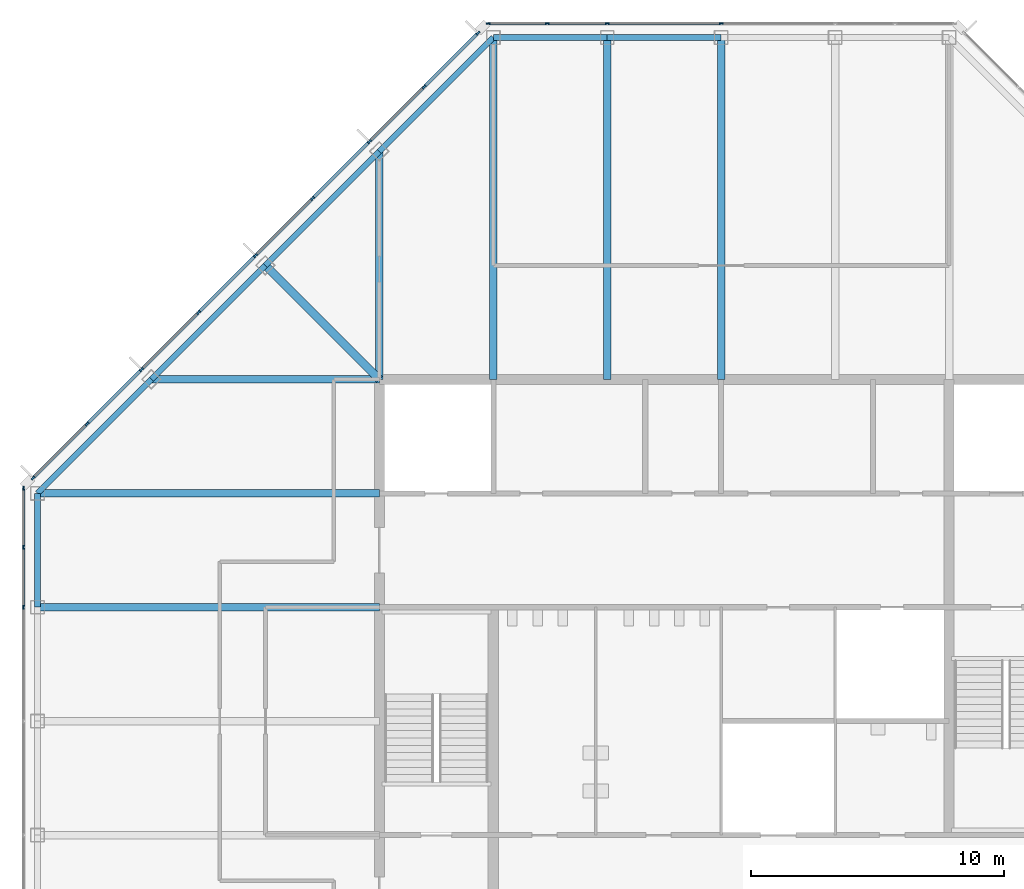
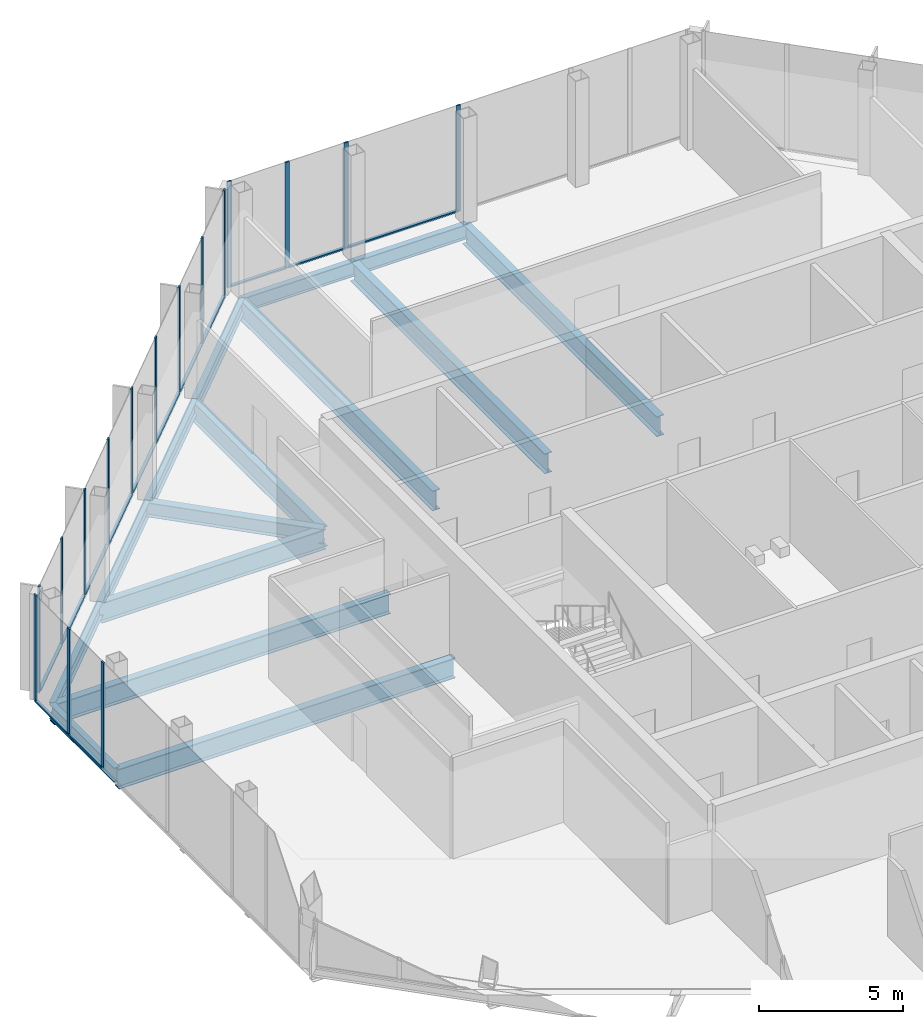
# One storey, part 6 of 13: 29 members, 15 beams, 3 elements without a shape of their own.
"""IFC4 building model written with IfcOpenShell, lengths in metres."""

from ifc_helpers import new_model, si_unit, direction, frame, origin, origin_2d, place, context, subcontext, project, spatial, rectangle, i_section, extrude, material, material_profile, profile_set, type_object, element, aggregate, save


model = new_model("IFC4")

# Units and contexts
model_context = context("Model", 3, precision=1e-05, world=origin(), true_north=direction((0.0, 1.0)))
body_context = subcontext(model_context, "Body", "Model", "MODEL_VIEW")
ifc_project = project(units=[si_unit("LENGTHUNIT", "METRE"), si_unit("AREAUNIT", "SQUARE_METRE"), si_unit("VOLUMEUNIT", "CUBIC_METRE"), si_unit("PLANEANGLEUNIT", "RADIAN"), si_unit("MASSUNIT", "GRAM", prefix="KILO")], contexts=[model_context])

# Site, building, storey
site_placement = place(None, origin())
site = spatial("IfcSite", under=ifc_project, at=site_placement, CompositionType="ELEMENT")
building_placement = place(site_placement, origin())
building = spatial("IfcBuilding", under=site, at=building_placement, Name="Corais Broadcast Tower", CompositionType="ELEMENT")
storey_placement = place(building_placement, frame((0.0, 0.0, 310.60009765625)))
storey = spatial("IfcBuildingStorey", under=building, at=storey_placement, Name="L73", CompositionType="ELEMENT", Elevation=310.60009765625)

# Beams
ifc_material_1 = material(Name="Steel ASTM A572 Grade 50", Category="steel")
ifc_material_profile_1 = material_profile(ifc_material_1, i_section(OverallWidth=0.323974609375, OverallDepth=0.611083984375, WebThickness=0.0126953125, FlangeThickness=0.01904296875, at=origin_2d()), Name="W610x155")
ifc_profile_set_1 = profile_set([ifc_material_profile_1], Name="Steel ASTM A572 Grade 50")
beam_type_1 = type_object("IfcBeamType", Name="Corner diagonal W610x155", PredefinedType="BEAM", material=ifc_profile_set_1)
beam_1_placement = place(storey_placement, frame((9.0, 45.0, -0.465576171875), z_axis=(0.707106781187, -0.707106781187, 0.0), x_axis=(0.707106781187, 0.707106781187, 0.0)))
element("IfcBeam", 1, at=beam_1_placement, inside=storey, type_object=beam_type_1, Name="B6 L/5 to K/6", PredefinedType="BEAM", context=body_context, shape_type="SweptSolid", body=[
    extrude(i_section(OverallWidth=0.323974609375, OverallDepth=0.611083984375, WebThickness=0.0126953125, FlangeThickness=0.01904296875, at=origin_2d()), origin(), (0.0, 0.0, 1.0), 6.364013671875),
])
ifc_material_2 = material(Name="Steel ASTM A572 Grade 50", Category="steel")
ifc_material_profile_2 = material_profile(ifc_material_2, i_section(OverallWidth=0.2939453125, OverallDepth=0.85107421875, WebThickness=0.01611328125, FlangeThickness=0.02685546875, at=origin_2d()), Name="W840x226")
ifc_profile_set_2 = profile_set([ifc_material_profile_2], Name="Steel ASTM A572 Grade 50")
beam_type_2 = type_object("IfcBeamType", Name="Floor beam W840x226", PredefinedType="BEAM", material=ifc_profile_set_2)
for number, where, z_axis, x_axis, name in (
    (2, (0.0, 31.5, -0.585693359375), (1.0, 0.0, 0.0), (0.0, 1.0, 0.0), "B1 H/3 to H/6"),
    (3, (0.0, 36.0, -0.585693359375), (1.0, 0.0, 0.0), (0.0, 1.0, 0.0), "B1 J/3 to J/6"),
):
    element("IfcBeam", number, at=place(storey_placement, frame(where, z_axis=z_axis, x_axis=x_axis)), inside=storey, type_object=beam_type_2, Name=name, PredefinedType="BEAM", context=body_context, shape_type="SweptSolid", body=[
        extrude(i_section(OverallWidth=0.2939453125, OverallDepth=0.85107421875, WebThickness=0.01611328125, FlangeThickness=0.02685546875, at=origin_2d()), origin(), (0.0, 0.0, 1.0), 13.5),
    ])
beam_2_placement = place(storey_placement, frame((13.5, 49.5, -0.585693359375), z_axis=(0.0, -1.0, 0.0), x_axis=(1.0, 0.0, 0.0)))
element("IfcBeam", 4, at=beam_2_placement, inside=storey, type_object=beam_type_2, Name="B1 M/6 to K/6", PredefinedType="BEAM", context=body_context, shape_type="SweptSolid", body=[
    extrude(i_section(OverallWidth=0.2939453125, OverallDepth=0.85107421875, WebThickness=0.01611328125, FlangeThickness=0.02685546875, at=origin_2d()), origin(), (0.0, 0.0, 1.0), 9.0),
])
for number, where, z_axis, x_axis, name in (
    (5, (18.0, 54.0, -0.585693359375), (0.0, -1.0, 0.0), (1.0, 0.0, 0.0), "B1 N/7 to K/7"),
    (6, (22.5, 54.0, -0.585693359375), (0.0, -1.0, 0.0), (1.0, 0.0, 0.0), "B1 N/8 to K/8"),
    (7, (27.0, 54.0, -0.585693359375), (0.0, -1.0, 0.0), (1.0, 0.0, 0.0), "B1 N/9 to K/9"),
):
    element("IfcBeam", number, at=place(storey_placement, frame(where, z_axis=z_axis, x_axis=x_axis)), inside=storey, type_object=beam_type_2, Name=name, PredefinedType="BEAM", context=body_context, shape_type="SweptSolid", body=[
        extrude(i_section(OverallWidth=0.2939453125, OverallDepth=0.85107421875, WebThickness=0.01611328125, FlangeThickness=0.02685546875, at=origin_2d()), origin(), (0.0, 0.0, 1.0), 13.5),
    ])
beam_3_placement = place(storey_placement, frame((4.5, 40.5, -0.585693359375), z_axis=(1.0, 0.0, 0.0), x_axis=(0.0, 1.0, 0.0)))
element("IfcBeam", 8, at=beam_3_placement, inside=storey, type_object=beam_type_2, Name="B1 K/4 to K/6", PredefinedType="BEAM", context=body_context, shape_type="SweptSolid", body=[
    extrude(i_section(OverallWidth=0.2939453125, OverallDepth=0.85107421875, WebThickness=0.01611328125, FlangeThickness=0.02685546875, at=origin_2d()), origin(), (0.0, 0.0, 1.0), 9.0),
])

# Curtain wall, members
ifc_material_3 = material(Name="Aluminium and glass", Category="aluminium")
curtain_wall_type = type_object("IfcCurtainWallType", Name="Unitised fritted curtain wall CW3", PredefinedType="NOTDEFINED", material=ifc_material_3)
curtain_wall_1_placement = place(storey_placement, origin())
curtain_wall_1 = element("IfcCurtainWall", 9, at=curtain_wall_1_placement, inside=storey, type_object=curtain_wall_type, Name="CW3 curtain wall L73 2", PredefinedType="NOTDEFINED")
ifc_material_4 = material(Name="Aluminium 6063-T6", Category="aluminium")
ifc_material_profile_3 = material_profile(ifc_material_4, rectangle(XDim=0.06494140625, YDim=0.159912109375, at=origin_2d()), Name="Mullion CW3 65x160")
ifc_profile_set_3 = profile_set([ifc_material_profile_3], Name="Aluminium 6063-T6")
member_type_1 = type_object("IfcMemberType", Name="Mullion CW3 65x160", PredefinedType="MULLION", material=ifc_profile_set_3)
member_1_placement = place(storey_placement, frame((-0.550048828125, 31.5, 0.0), z_axis=(0.0, 0.0, 1.0), x_axis=(-1.0, 0.0, 0.0)))
member_1 = element("IfcMember", 10, at=member_1_placement, type_object=member_type_1, Name="CW3 mullion 5", PredefinedType="MULLION", context=body_context, shape_type="SweptSolid", body=[
    extrude(rectangle(XDim=0.06494140625, YDim=0.159912109375, at=origin_2d()), origin(), (0.0, 0.0, 1.0), 4.5),
])
member_2_placement = place(storey_placement, frame((-0.550048828125, 33.864013671875, 0.0), z_axis=(0.0, 0.0, 1.0), x_axis=(-1.0, 0.0, 0.0)))
member_2 = element("IfcMember", 11, at=member_2_placement, type_object=member_type_1, Name="CW3 mullion 6", PredefinedType="MULLION", context=body_context, shape_type="SweptSolid", body=[
    extrude(rectangle(XDim=0.06494140625, YDim=0.159912109375, at=origin_2d()), origin(), (0.0, 0.0, 1.0), 4.5),
])
member_3_placement = place(storey_placement, frame((-0.550048828125, 36.1953125, 0.0), z_axis=(0.0, 0.0, 1.0), x_axis=(-1.0, 0.0, 0.0)))
member_3 = element("IfcMember", 12, at=member_3_placement, type_object=member_type_1, Name="CW3 mullion 7", PredefinedType="MULLION", context=body_context, shape_type="SweptSolid", body=[
    extrude(rectangle(XDim=0.06494140625, YDim=0.159912109375, at=origin_2d()), origin(), (0.0, 0.0, 1.0), 4.5),
])

curtain_wall_2_placement = place(storey_placement, origin())
curtain_wall_2 = element("IfcCurtainWall", 13, at=curtain_wall_2_placement, inside=storey, type_object=curtain_wall_type, Name="CW3 curtain wall L73 3", PredefinedType="NOTDEFINED")
member_4_placement = place(storey_placement, frame((-0.17333984375, 36.6044921875, 0.0), z_axis=(0.0, 0.0, 1.0), x_axis=(-0.707106781187, 0.707106781187, 0.0)))
member_4 = element("IfcMember", 14, at=member_4_placement, type_object=member_type_1, Name="CW3 mullion 1", PredefinedType="MULLION", context=body_context, shape_type="SweptSolid", body=[
    extrude(rectangle(XDim=0.06494140625, YDim=0.159912109375, at=origin_2d()), origin(), (0.0, 0.0, 1.0), 4.5),
])
member_5_placement = place(storey_placement, frame((1.957275390625, 38.735107421875, 0.0), z_axis=(0.0, 0.0, 1.0), x_axis=(-0.707106781187, 0.707106781187, 0.0)))
member_5 = element("IfcMember", 15, at=member_5_placement, type_object=member_type_1, Name="CW3 mullion 2", PredefinedType="MULLION", context=body_context, shape_type="SweptSolid", body=[
    extrude(rectangle(XDim=0.06494140625, YDim=0.159912109375, at=origin_2d()), origin(), (0.0, 0.0, 1.0), 4.5),
])
member_6_placement = place(storey_placement, frame((4.111083984375, 40.888916015625, 0.0), z_axis=(0.0, 0.0, 1.0), x_axis=(-0.707106781187, 0.707106781187, 0.0)))
member_6 = element("IfcMember", 16, at=member_6_placement, type_object=member_type_1, Name="CW3 mullion 3", PredefinedType="MULLION", context=body_context, shape_type="SweptSolid", body=[
    extrude(rectangle(XDim=0.06494140625, YDim=0.159912109375, at=origin_2d()), origin(), (0.0, 0.0, 1.0), 4.5),
])
member_7_placement = place(storey_placement, frame((6.361083984375, 43.138916015625, 0.0), z_axis=(0.0, 0.0, 1.0), x_axis=(-0.707106781187, 0.707106781187, 0.0)))
member_7 = element("IfcMember", 17, at=member_7_placement, type_object=member_type_1, Name="CW3 mullion 4", PredefinedType="MULLION", context=body_context, shape_type="SweptSolid", body=[
    extrude(rectangle(XDim=0.06494140625, YDim=0.159912109375, at=origin_2d()), origin(), (0.0, 0.0, 1.0), 4.5),
])
member_8_placement = place(storey_placement, frame((8.611083984375, 45.388916015625, 0.0), z_axis=(0.0, 0.0, 1.0), x_axis=(-0.707106781187, 0.707106781187, 0.0)))
member_8 = element("IfcMember", 18, at=member_8_placement, type_object=member_type_1, Name="CW3 mullion 5", PredefinedType="MULLION", context=body_context, shape_type="SweptSolid", body=[
    extrude(rectangle(XDim=0.06494140625, YDim=0.159912109375, at=origin_2d()), origin(), (0.0, 0.0, 1.0), 4.5),
])
member_9_placement = place(storey_placement, frame((10.861083984375, 47.638916015625, 0.0), z_axis=(0.0, 0.0, 1.0), x_axis=(-0.707106781187, 0.707106781187, 0.0)))
member_9 = element("IfcMember", 19, at=member_9_placement, type_object=member_type_1, Name="CW3 mullion 6", PredefinedType="MULLION", context=body_context, shape_type="SweptSolid", body=[
    extrude(rectangle(XDim=0.06494140625, YDim=0.159912109375, at=origin_2d()), origin(), (0.0, 0.0, 1.0), 4.5),
])
member_10_placement = place(storey_placement, frame((13.111083984375, 49.888916015625, 0.0), z_axis=(0.0, 0.0, 1.0), x_axis=(-0.707106781187, 0.707106781187, 0.0)))
member_10 = element("IfcMember", 20, at=member_10_placement, type_object=member_type_1, Name="CW3 mullion 7", PredefinedType="MULLION", context=body_context, shape_type="SweptSolid", body=[
    extrude(rectangle(XDim=0.06494140625, YDim=0.159912109375, at=origin_2d()), origin(), (0.0, 0.0, 1.0), 4.5),
])
member_11_placement = place(storey_placement, frame((15.264892578125, 52.042724609375, 0.0), z_axis=(0.0, 0.0, 1.0), x_axis=(-0.707106781187, 0.707106781187, 0.0)))
member_11 = element("IfcMember", 21, at=member_11_placement, type_object=member_type_1, Name="CW3 mullion 8", PredefinedType="MULLION", context=body_context, shape_type="SweptSolid", body=[
    extrude(rectangle(XDim=0.06494140625, YDim=0.159912109375, at=origin_2d()), origin(), (0.0, 0.0, 1.0), 4.5),
])
member_12_placement = place(storey_placement, frame((17.3955078125, 54.17333984375, 0.0), z_axis=(0.0, 0.0, 1.0), x_axis=(-0.707106781187, 0.707106781187, 0.0)))
member_12 = element("IfcMember", 22, at=member_12_placement, type_object=member_type_1, Name="CW3 mullion 9", PredefinedType="MULLION", context=body_context, shape_type="SweptSolid", body=[
    extrude(rectangle(XDim=0.06494140625, YDim=0.159912109375, at=origin_2d()), origin(), (0.0, 0.0, 1.0), 4.5),
])

curtain_wall_3_placement = place(storey_placement, origin())
curtain_wall_3 = element("IfcCurtainWall", 23, at=curtain_wall_3_placement, inside=storey, type_object=curtain_wall_type, Name="CW3 curtain wall L73 4", PredefinedType="NOTDEFINED")
member_13_placement = place(storey_placement, frame((17.8046875, 54.550048828125, 0.0), z_axis=(0.0, 0.0, 1.0), x_axis=(0.0, 1.0, 0.0)))
member_13 = element("IfcMember", 24, at=member_13_placement, type_object=member_type_1, Name="CW3 mullion 1", PredefinedType="MULLION", context=body_context, shape_type="SweptSolid", body=[
    extrude(rectangle(XDim=0.06494140625, YDim=0.159912109375, at=origin_2d()), origin(), (0.0, 0.0, 1.0), 4.5),
])
member_14_placement = place(storey_placement, frame((20.135986328125, 54.550048828125, 0.0), z_axis=(0.0, 0.0, 1.0), x_axis=(0.0, 1.0, 0.0)))
member_14 = element("IfcMember", 25, at=member_14_placement, type_object=member_type_1, Name="CW3 mullion 2", PredefinedType="MULLION", context=body_context, shape_type="SweptSolid", body=[
    extrude(rectangle(XDim=0.06494140625, YDim=0.159912109375, at=origin_2d()), origin(), (0.0, 0.0, 1.0), 4.5),
])
member_15_placement = place(storey_placement, frame((22.5, 54.550048828125, 0.0), z_axis=(0.0, 0.0, 1.0), x_axis=(0.0, 1.0, 0.0)))
member_15 = element("IfcMember", 26, at=member_15_placement, type_object=member_type_1, Name="CW3 mullion 3", PredefinedType="MULLION", context=body_context, shape_type="SweptSolid", body=[
    extrude(rectangle(XDim=0.06494140625, YDim=0.159912109375, at=origin_2d()), origin(), (0.0, 0.0, 1.0), 4.5),
])
member_16_placement = place(storey_placement, frame((27.0, 54.550048828125, 0.0), z_axis=(0.0, 0.0, 1.0), x_axis=(0.0, 1.0, 0.0)))
member_16 = element("IfcMember", 27, at=member_16_placement, type_object=member_type_1, Name="CW3 mullion 4", PredefinedType="MULLION", context=body_context, shape_type="SweptSolid", body=[
    extrude(rectangle(XDim=0.06494140625, YDim=0.159912109375, at=origin_2d()), origin(), (0.0, 0.0, 1.0), 4.5),
])

# Beams
ifc_material_5 = material(Name="Steel ASTM A572 Grade 50", Category="steel")
ifc_material_profile_4 = material_profile(ifc_material_5, i_section(OverallWidth=0.22998046875, OverallDepth=0.616943359375, WebThickness=0.01318359375, FlangeThickness=0.022216796875, at=origin_2d()), Name="W610x140")
ifc_profile_set_4 = profile_set([ifc_material_profile_4], Name="Steel ASTM A572 Grade 50")
beam_type_3 = type_object("IfcBeamType", Name="Spandrel W610x140", PredefinedType="BEAM", material=ifc_profile_set_4)
beam_4_placement = place(storey_placement, frame((0.0, 36.0, -0.468505859375), z_axis=(0.0, -1.0, 0.0), x_axis=(1.0, 0.0, 0.0)))
element("IfcBeam", 28, at=beam_4_placement, inside=storey, type_object=beam_type_3, Name="SB3 J/3 to H/3", PredefinedType="BEAM", context=body_context, shape_type="SweptSolid", body=[
    extrude(i_section(OverallWidth=0.22998046875, OverallDepth=0.616943359375, WebThickness=0.01318359375, FlangeThickness=0.022216796875, at=origin_2d()), origin(), (0.0, 0.0, 1.0), 4.5),
])
for number, where, z_axis, x_axis, name in (
    (29, (13.5, 49.5, -0.468505859375), (-0.707106781187, -0.707106781187, 0.0), (0.707106781187, -0.707106781187, 0.0), "SB3 M/6 to L/5"),
    (30, (18.0, 54.0, -0.468505859375), (-0.707106781187, -0.707106781187, 0.0), (0.707106781187, -0.707106781187, 0.0), "SB3 N/7 to M/6"),
):
    element("IfcBeam", number, at=place(storey_placement, frame(where, z_axis=z_axis, x_axis=x_axis)), inside=storey, type_object=beam_type_3, Name=name, PredefinedType="BEAM", context=body_context, shape_type="SweptSolid", body=[
        extrude(i_section(OverallWidth=0.22998046875, OverallDepth=0.616943359375, WebThickness=0.01318359375, FlangeThickness=0.022216796875, at=origin_2d()), origin(), (0.0, 0.0, 1.0), 6.364013671875),
    ])
for number, where, z_axis, x_axis, name in (
    (31, (22.5, 54.0, -0.468505859375), (-1.0, 0.0, 0.0), (0.0, -1.0, 0.0), "SB3 N/8 to N/7"),
    (32, (27.0, 54.0, -0.468505859375), (-1.0, 0.0, 0.0), (0.0, -1.0, 0.0), "SB3 N/9 to N/8"),
):
    element("IfcBeam", number, at=place(storey_placement, frame(where, z_axis=z_axis, x_axis=x_axis)), inside=storey, type_object=beam_type_3, Name=name, PredefinedType="BEAM", context=body_context, shape_type="SweptSolid", body=[
        extrude(i_section(OverallWidth=0.22998046875, OverallDepth=0.616943359375, WebThickness=0.01318359375, FlangeThickness=0.022216796875, at=origin_2d()), origin(), (0.0, 0.0, 1.0), 4.5),
    ])
for number, where, z_axis, x_axis, name in (
    (33, (4.5, 40.5, -0.468505859375), (-0.707106781187, -0.707106781187, 0.0), (0.707106781187, -0.707106781187, 0.0), "SB3 K/4 to J/3"),
    (34, (9.0, 45.0, -0.468505859375), (-0.707106781187, -0.707106781187, 0.0), (0.707106781187, -0.707106781187, 0.0), "SB3 L/5 to K/4"),
):
    element("IfcBeam", number, at=place(storey_placement, frame(where, z_axis=z_axis, x_axis=x_axis)), inside=storey, type_object=beam_type_3, Name=name, PredefinedType="BEAM", context=body_context, shape_type="SweptSolid", body=[
        extrude(i_section(OverallWidth=0.22998046875, OverallDepth=0.616943359375, WebThickness=0.01318359375, FlangeThickness=0.022216796875, at=origin_2d()), origin(), (0.0, 0.0, 1.0), 6.364013671875),
    ])

# Member
ifc_material_6 = material(Name="Aluminium 6063-T6", Category="aluminium")
ifc_material_profile_5 = material_profile(ifc_material_6, rectangle(XDim=0.1201171875, YDim=0.06494140625, at=origin_2d()), Name="Transom CW3 65x120")
ifc_profile_set_5 = profile_set([ifc_material_profile_5], Name="Aluminium 6063-T6")
member_type_2 = type_object("IfcMemberType", Name="Transom CW3 65x120", PredefinedType="USERDEFINED", material=ifc_profile_set_5)
member_17_placement = place(storey_placement, frame((-0.550048828125, 31.532470703125, 0.032470703125), z_axis=(0.0, 1.0, 0.0), x_axis=(-1.0, 0.0, 0.0)))
member_17 = element("IfcMember", 35, at=member_17_placement, type_object=member_type_2, Name="CW3 transom 5.1", ObjectType="TRANSOM", PredefinedType="USERDEFINED", context=body_context, shape_type="SweptSolid", body=[
    extrude(rectangle(XDim=0.1201171875, YDim=0.06494140625, at=origin_2d()), origin(), (0.0, 0.0, 1.0), 2.298828125),
])

member_18_placement = place(storey_placement, frame((-0.550048828125, 33.896484375, 0.032470703125), z_axis=(0.0, 1.0, 0.0), x_axis=(-1.0, 0.0, 0.0)))
member_18 = element("IfcMember", 36, at=member_18_placement, type_object=member_type_2, Name="CW3 transom 6.1", ObjectType="TRANSOM", PredefinedType="USERDEFINED", context=body_context, shape_type="SweptSolid", body=[
    extrude(rectangle(XDim=0.1201171875, YDim=0.06494140625, at=origin_2d()), origin(), (0.0, 0.0, 1.0), 2.266357421875),
])

aggregate(curtain_wall_1, [member_1, member_2, member_3, member_17, member_18])

member_19_placement = place(storey_placement, frame((-0.150390625, 36.62744140625, 0.032470703125), z_axis=(0.707106781187, 0.707106781187, 0.0), x_axis=(-0.707106781187, 0.707106781187, 0.0)))
member_19 = element("IfcMember", 37, at=member_19_placement, type_object=member_type_2, Name="CW3 transom 1.1", ObjectType="TRANSOM", PredefinedType="USERDEFINED", context=body_context, shape_type="SweptSolid", body=[
    extrude(rectangle(XDim=0.1201171875, YDim=0.06494140625, at=origin_2d()), origin(), (0.0, 0.0, 1.0), 2.9482421875),
])

member_20_placement = place(storey_placement, frame((1.980224609375, 38.758056640625, 0.032470703125), z_axis=(0.707106781187, 0.707106781187, 0.0), x_axis=(-0.707106781187, 0.707106781187, 0.0)))
member_20 = element("IfcMember", 38, at=member_20_placement, type_object=member_type_2, Name="CW3 transom 2.1", ObjectType="TRANSOM", PredefinedType="USERDEFINED", context=body_context, shape_type="SweptSolid", body=[
    extrude(rectangle(XDim=0.1201171875, YDim=0.06494140625, at=origin_2d()), origin(), (0.0, 0.0, 1.0), 2.98095703125),
])

member_21_placement = place(storey_placement, frame((4.134033203125, 40.911865234375, 0.032470703125), z_axis=(0.707106781187, 0.707106781187, 0.0), x_axis=(-0.707106781187, 0.707106781187, 0.0)))
member_21 = element("IfcMember", 39, at=member_21_placement, type_object=member_type_2, Name="CW3 transom 3.1", ObjectType="TRANSOM", PredefinedType="USERDEFINED", context=body_context, shape_type="SweptSolid", body=[
    extrude(rectangle(XDim=0.1201171875, YDim=0.06494140625, at=origin_2d()), origin(), (0.0, 0.0, 1.0), 3.1171875),
])

member_22_placement = place(storey_placement, frame((6.384033203125, 43.161865234375, 0.032470703125), z_axis=(0.707106781187, 0.707106781187, 0.0), x_axis=(-0.707106781187, 0.707106781187, 0.0)))
member_22 = element("IfcMember", 40, at=member_22_placement, type_object=member_type_2, Name="CW3 transom 4.1", ObjectType="TRANSOM", PredefinedType="USERDEFINED", context=body_context, shape_type="SweptSolid", body=[
    extrude(rectangle(XDim=0.1201171875, YDim=0.06494140625, at=origin_2d()), origin(), (0.0, 0.0, 1.0), 3.1171875),
])

member_23_placement = place(storey_placement, frame((8.634033203125, 45.411865234375, 0.032470703125), z_axis=(0.707106781187, 0.707106781187, 0.0), x_axis=(-0.707106781187, 0.707106781187, 0.0)))
member_23 = element("IfcMember", 41, at=member_23_placement, type_object=member_type_2, Name="CW3 transom 5.1", ObjectType="TRANSOM", PredefinedType="USERDEFINED", context=body_context, shape_type="SweptSolid", body=[
    extrude(rectangle(XDim=0.1201171875, YDim=0.06494140625, at=origin_2d()), origin(), (0.0, 0.0, 1.0), 3.1171875),
])

member_24_placement = place(storey_placement, frame((10.884033203125, 47.661865234375, 0.032470703125), z_axis=(0.707106781187, 0.707106781187, 0.0), x_axis=(-0.707106781187, 0.707106781187, 0.0)))
member_24 = element("IfcMember", 42, at=member_24_placement, type_object=member_type_2, Name="CW3 transom 6.1", ObjectType="TRANSOM", PredefinedType="USERDEFINED", context=body_context, shape_type="SweptSolid", body=[
    extrude(rectangle(XDim=0.1201171875, YDim=0.06494140625, at=origin_2d()), origin(), (0.0, 0.0, 1.0), 3.1171875),
])

member_25_placement = place(storey_placement, frame((13.134033203125, 49.911865234375, 0.032470703125), z_axis=(0.70714773134, 0.707065828661, 0.0), x_axis=(-0.707065828661, 0.70714773134, 0.0)))
member_25 = element("IfcMember", 43, at=member_25_placement, type_object=member_type_2, Name="CW3 transom 7.1", ObjectType="TRANSOM", PredefinedType="USERDEFINED", context=body_context, shape_type="SweptSolid", body=[
    extrude(rectangle(XDim=0.1201171875, YDim=0.06494140625, at=origin_2d()), origin(), (0.0, 0.0, 1.0), 2.98095703125),
])

member_26_placement = place(storey_placement, frame((15.287841796875, 52.065673828125, 0.032470703125), z_axis=(0.707106781187, 0.707106781187, 0.0), x_axis=(-0.707106781187, 0.707106781187, 0.0)))
member_26 = element("IfcMember", 44, at=member_26_placement, type_object=member_type_2, Name="CW3 transom 8.1", ObjectType="TRANSOM", PredefinedType="USERDEFINED", context=body_context, shape_type="SweptSolid", body=[
    extrude(rectangle(XDim=0.1201171875, YDim=0.06494140625, at=origin_2d()), origin(), (0.0, 0.0, 1.0), 2.9482421875),
])

aggregate(curtain_wall_2, [member_4, member_5, member_6, member_7, member_8, member_9, member_10, member_11, member_12, member_19, member_20, member_21, member_22, member_23, member_24, member_25, member_26])

member_27_placement = place(storey_placement, frame((17.837158203125, 54.550048828125, 0.032470703125), z_axis=(1.0, 0.0, 0.0), x_axis=(0.0, 1.0, 0.0)))
member_27 = element("IfcMember", 45, at=member_27_placement, type_object=member_type_2, Name="CW3 transom 1.1", ObjectType="TRANSOM", PredefinedType="USERDEFINED", context=body_context, shape_type="SweptSolid", body=[
    extrude(rectangle(XDim=0.1201171875, YDim=0.06494140625, at=origin_2d()), origin(), (0.0, 0.0, 1.0), 2.266357421875),
])

member_28_placement = place(storey_placement, frame((20.168701171875, 54.550048828125, 0.032470703125), z_axis=(1.0, 0.0, 0.0), x_axis=(0.0, 1.0, 0.0)))
member_28 = element("IfcMember", 46, at=member_28_placement, type_object=member_type_2, Name="CW3 transom 2.1", ObjectType="TRANSOM", PredefinedType="USERDEFINED", context=body_context, shape_type="SweptSolid", body=[
    extrude(rectangle(XDim=0.1201171875, YDim=0.06494140625, at=origin_2d()), origin(), (0.0, 0.0, 1.0), 2.298828125),
])

member_29_placement = place(storey_placement, frame((22.532470703125, 54.550048828125, 0.032470703125), z_axis=(1.0, 0.0, 0.0), x_axis=(0.0, 1.0, 0.0)))
member_29 = element("IfcMember", 47, at=member_29_placement, type_object=member_type_2, Name="CW3 transom 3.1", ObjectType="TRANSOM", PredefinedType="USERDEFINED", context=body_context, shape_type="SweptSolid", body=[
    extrude(rectangle(XDim=0.1201171875, YDim=0.06494140625, at=origin_2d()), origin(), (0.0, 0.0, 1.0), 4.43505859375),
])

aggregate(curtain_wall_3, [member_13, member_14, member_15, member_16, member_27, member_28, member_29])

save(model, "model.ifc")
